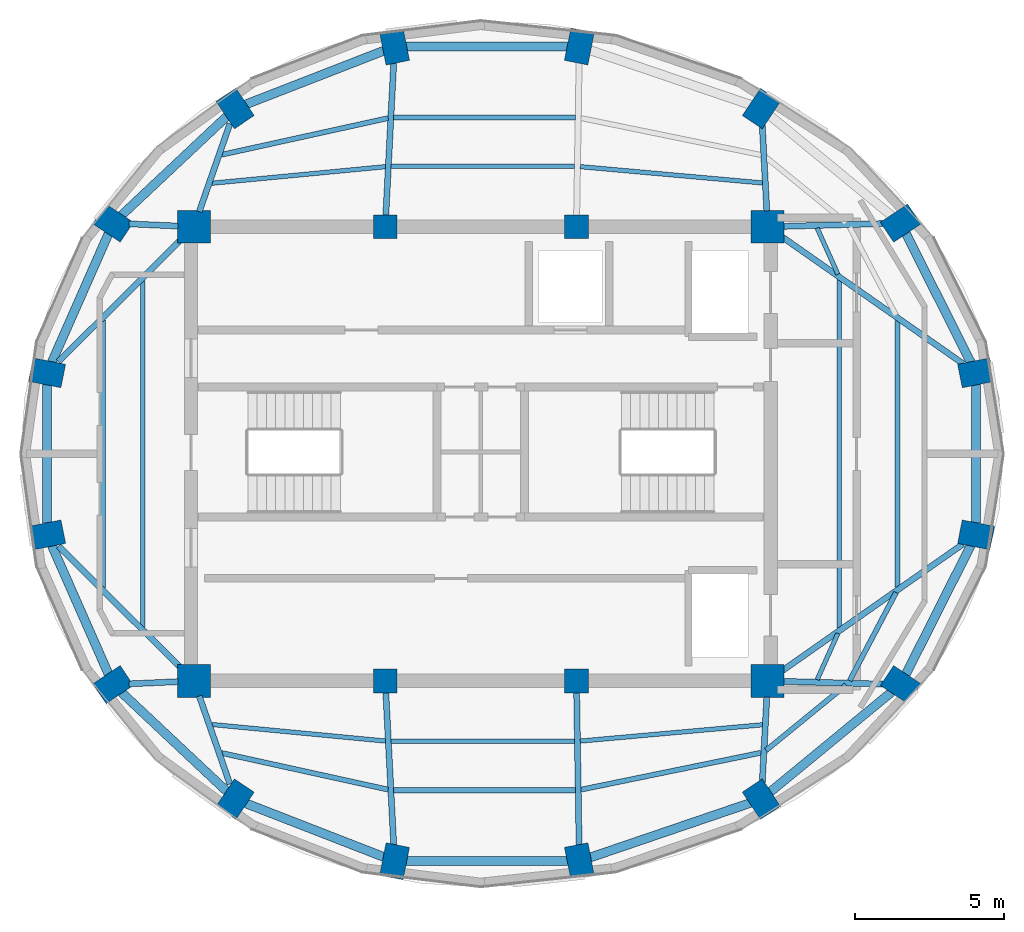
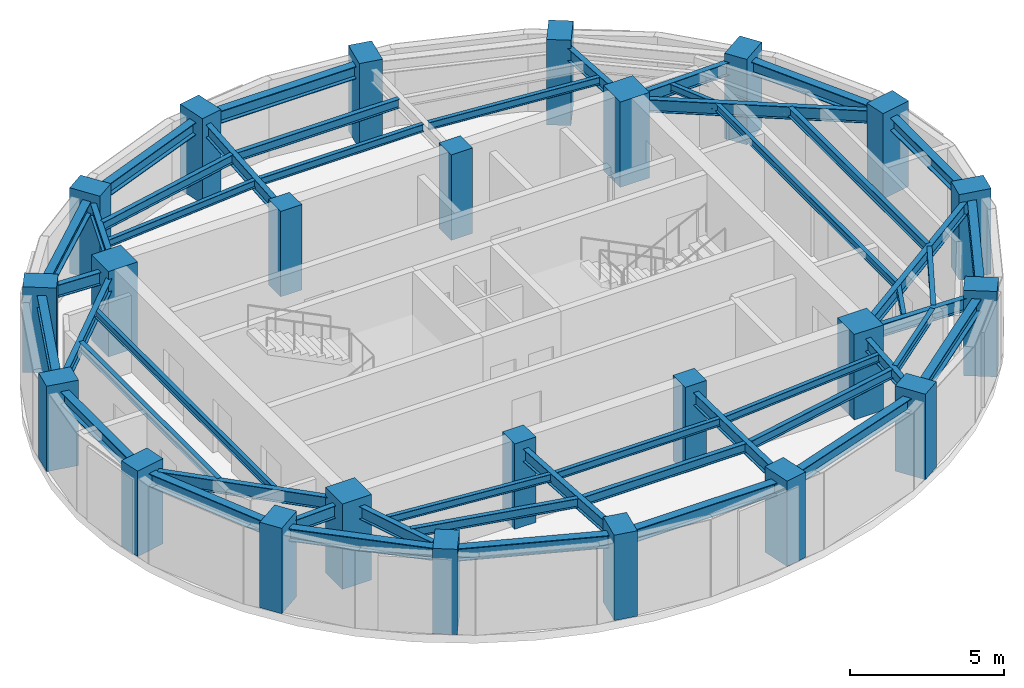
# One storey, part 1 of 5: 48 beams, 24 columns.
"""IFC4 building model written with IfcOpenShell, lengths in metres."""

from ifc_helpers import new_model, si_unit, direction, frame, origin, origin_2d, place, context, subcontext, project, spatial, rectangle, i_section, extrude, material, material_profile, profile_set, type_object, element, save


model = new_model("IFC4")

# Units and contexts
model_context = context("Model", 3, precision=1e-05, world=origin(), true_north=direction((0.0, 1.0)))
body_context = subcontext(model_context, "Body", "Model", "MODEL_VIEW")
ifc_project = project(units=[si_unit("LENGTHUNIT", "METRE"), si_unit("AREAUNIT", "SQUARE_METRE"), si_unit("VOLUMEUNIT", "CUBIC_METRE"), si_unit("PLANEANGLEUNIT", "RADIAN"), si_unit("MASSUNIT", "GRAM", prefix="KILO")], contexts=[model_context])

# Site, building, storey
site_placement = place(None, origin())
site = spatial("IfcSite", under=ifc_project, at=site_placement, CompositionType="ELEMENT")
building_placement = place(site_placement, origin())
building = spatial("IfcBuilding", under=site, at=building_placement, Name="Lazwardi Medical Tower", CompositionType="ELEMENT")
storey_placement = place(building_placement, frame((0.0, 0.0, 305.8359375)))
storey = spatial("IfcBuildingStorey", under=building, at=storey_placement, Name="L80", CompositionType="ELEMENT", Elevation=305.8359375)

# Columns
ifc_material_1 = material(Name="Concrete C80/95", Category="concrete")
ifc_material_profile_1 = material_profile(ifc_material_1, rectangle(XDim=1.10009765625, YDim=1.10009765625, at=origin_2d()), Name="RC 1100x1100")
ifc_profile_set_1 = profile_set([ifc_material_profile_1], Name="Concrete C80/95")
column_type_1 = type_object("IfcColumnType", Name="COL-CC-L", PredefinedType="COLUMN", material=ifc_profile_set_1)
for number, where, z_axis, x_axis, name in (
    (1, (26.39990234375, 20.39990234375, 0.0), (0.0, 0.0, 1.0), (1.0, 0.0, 0.0), "Core column CC-01 CC1 L80"),
    (2, (45.60009765625, 20.39990234375, 0.0), (0.0, 0.0, 1.0), (1.0, 0.0, 0.0), "Core column CC-01 CC4 L80"),
    (3, (45.60009765625, 35.60009765625, 0.0), (0.0, 0.0, 1.0), (1.0, 0.0, 0.0), "Core column CC-01 CC5 L80"),
    (4, (26.39990234375, 35.60009765625, 0.0), (0.0, 0.0, 1.0), (1.0, 0.0, 0.0), "Core column CC-01 CC8 L80"),
):
    element("IfcColumn", number, at=place(storey_placement, frame(where, z_axis=z_axis, x_axis=x_axis)), inside=storey, type_object=column_type_1, Name=name, PredefinedType="COLUMN", context=body_context, shape_type="SweptSolid", body=[
        extrude(rectangle(XDim=1.10009765625, YDim=1.10009765625, at=origin_2d()), origin(), (0.0, 0.0, 1.0), 3.38818359375),
    ])
ifc_material_2 = material(Name="Concrete C60/75", Category="concrete")
ifc_material_profile_2 = material_profile(ifc_material_2, rectangle(XDim=0.800048828125, YDim=0.800048828125, at=origin_2d()), Name="RC 800x800")
ifc_profile_set_2 = profile_set([ifc_material_profile_2], Name="Concrete C60/75")
column_type_2 = type_object("IfcColumnType", Name="COL-CC-U", PredefinedType="COLUMN", material=ifc_profile_set_2)
for number, where, z_axis, x_axis, name in (
    (5, (32.800048828125, 20.39990234375, 0.0), (0.0, 0.0, 1.0), (1.0, 0.0, 0.0), "Core column CC-03 CC2 L80"),
    (6, (39.199951171875, 20.39990234375, 0.0), (0.0, 0.0, 1.0), (1.0, 0.0, 0.0), "Core column CC-03 CC3 L80"),
    (7, (39.199951171875, 35.60009765625, 0.0), (0.0, 0.0, 1.0), (1.0, 0.0, 0.0), "Core column CC-03 CC6 L80"),
    (8, (32.800048828125, 35.60009765625, 0.0), (0.0, 0.0, 1.0), (1.0, 0.0, 0.0), "Core column CC-03 CC7 L80"),
):
    element("IfcColumn", number, at=place(storey_placement, frame(where, z_axis=z_axis, x_axis=x_axis)), inside=storey, type_object=column_type_2, Name=name, PredefinedType="COLUMN", context=body_context, shape_type="SweptSolid", body=[
        extrude(rectangle(XDim=0.800048828125, YDim=0.800048828125, at=origin_2d()), origin(), (0.0, 0.0, 1.0), 3.38818359375),
    ])
ifc_material_profile_3 = material_profile(ifc_material_2, rectangle(XDim=1.10009765625, YDim=0.800048828125, at=origin_2d()), Name="CFT-RECT 1100x800")
ifc_profile_set_3 = profile_set([ifc_material_profile_3], Name="Concrete C60/75")
column_type_3 = type_object("IfcColumnType", Name="COL-MC-Z4", PredefinedType="COLUMN", material=ifc_profile_set_3)
for number, where, z_axis, x_axis, name in (
    (9, (39.297119140625, 14.3671875, 0.0), (0.0, 0.0, 1.0), (0.195090322016, -0.980785280403, 0.0), "Mega column MC-06 M01 L80"),
    (10, (45.38916015625, 16.442626953125, 0.0), (0.0, 0.0, 1.0), (0.55557023302, -0.831469612303, 0.0), "Mega column MC-06 M02 L80"),
    (11, (50.0517578125, 20.277587890625, 0.0), (0.0, 0.0, 1.0), (0.831469612303, -0.55557023302, 0.0), "Mega column MC-06 M03 L80"),
    (12, (52.5751953125, 25.2880859375, 0.0), (0.0, 0.0, 1.0), (0.980785280403, -0.195090322016, 0.0), "Mega column MC-06 M04 L80"),
    (13, (52.5751953125, 30.7119140625, 0.0), (0.0, 0.0, 1.0), (0.980785280403, 0.195090322016, 0.0), "Mega column MC-06 M05 L80"),
    (14, (50.0517578125, 35.722412109375, 0.0), (0.0, 0.0, 1.0), (0.831469612303, 0.55557023302, 0.0), "Mega column MC-06 M06 L80"),
    (15, (45.38916015625, 39.557373046875, 0.0), (0.0, 0.0, 1.0), (0.55557023302, 0.831469612303, 0.0), "Mega column MC-06 M07 L80"),
    (16, (39.297119140625, 41.6328125, 0.0), (0.0, 0.0, 1.0), (0.195090322016, 0.980785280403, 0.0), "Mega column MC-06 M08 L80"),
    (17, (33.11279296875, 41.6328125, 0.0), (0.0, 0.0, 1.0), (-0.195090322016, 0.980785280403, 0.0), "Mega column MC-06 M09 L80"),
    (18, (27.777587890625, 39.557373046875, 0.0), (0.0, 0.0, 1.0), (-0.55557023302, 0.831469612303, 0.0), "Mega column MC-06 M10 L80"),
    (19, (23.694091796875, 35.722412109375, 0.0), (0.0, 0.0, 1.0), (-0.831469612303, 0.55557023302, 0.0), "Mega column MC-06 M11 L80"),
    (20, (21.484375, 30.7119140625, 0.0), (0.0, 0.0, 1.0), (-0.980785280403, 0.195090322016, 0.0), "Mega column MC-06 M12 L80"),
    (21, (21.484375, 25.2880859375, 0.0), (0.0, 0.0, 1.0), (-0.980785280403, -0.195090322016, 0.0), "Mega column MC-06 M13 L80"),
    (22, (23.694091796875, 20.277587890625, 0.0), (0.0, 0.0, 1.0), (-0.831469612303, -0.55557023302, 0.0), "Mega column MC-06 M14 L80"),
    (23, (27.777587890625, 16.442626953125, 0.0), (0.0, 0.0, 1.0), (-0.55557023302, -0.831469612303, 0.0), "Mega column MC-06 M15 L80"),
    (24, (33.11279296875, 14.3671875, 0.0), (0.0, 0.0, 1.0), (-0.195090322016, -0.980785280403, 0.0), "Mega column MC-06 M16 L80"),
):
    element("IfcColumn", number, at=place(storey_placement, frame(where, z_axis=z_axis, x_axis=x_axis)), inside=storey, type_object=column_type_3, Name=name, PredefinedType="COLUMN", context=body_context, shape_type="SweptSolid", body=[
        extrude(rectangle(XDim=1.10009765625, YDim=0.800048828125, at=origin_2d()), origin(), (0.0, 0.0, 1.0), 3.38818359375),
    ])

# Beams
ifc_material_3 = material(Name="Steel S355", Category="steel")
ifc_material_profile_4 = material_profile(ifc_material_3, i_section(OverallWidth=0.300048828125, OverallDepth=0.5, WebThickness=0.014404296875, FlangeThickness=0.028076171875, at=origin_2d()), Name="HEB 500")
ifc_profile_set_4 = profile_set([ifc_material_profile_4], Name="Steel S355")
beam_type_1 = type_object("IfcBeamType", Name="BM-RB-Z4", PredefinedType="BEAM", material=ifc_profile_set_4)
beam_1_placement = place(storey_placement, frame((39.666259765625, 14.492919921875, 2.818115234375), z_axis=(0.94657339, 0.322488476296, 0.0), x_axis=(-0.322488476296, 0.94657339, 0.0)))
element("IfcBeam", 25, at=beam_1_placement, inside=storey, type_object=beam_type_1, Name="Ring beam RB-05 B01 L80", PredefinedType="BEAM", context=body_context, shape_type="SweptSolid", body=[
    extrude(i_section(OverallWidth=0.300048828125, OverallDepth=0.5, WebThickness=0.014404296875, FlangeThickness=0.028076171875, at=origin_2d()), origin(), (0.0, 0.0, 1.0), 5.656005859375),
])
beam_2_placement = place(storey_placement, frame((45.690185546875, 16.690185546875, 2.818115234375), z_axis=(0.772320174437, 0.635233459571, 0.0), x_axis=(-0.635233459571, 0.772320174437, 0.0)))
element("IfcBeam", 26, at=beam_2_placement, inside=storey, type_object=beam_type_1, Name="Ring beam RB-05 B02 L80", PredefinedType="BEAM", context=body_context, shape_type="SweptSolid", body=[
    extrude(i_section(OverallWidth=0.300048828125, OverallDepth=0.5, WebThickness=0.014404296875, FlangeThickness=0.028076171875, at=origin_2d()), origin(), (0.0, 0.0, 1.0), 5.25732421875),
])
beam_3_placement = place(storey_placement, frame((50.227294921875, 20.6259765625, 2.818115234375), z_axis=(0.449799625666, 0.89312949607, 0.0), x_axis=(-0.89312949607, 0.449799625666, 0.0)))
element("IfcBeam", 27, at=beam_3_placement, inside=storey, type_object=beam_type_1, Name="Ring beam RB-05 B03 L80", PredefinedType="BEAM", context=body_context, shape_type="SweptSolid", body=[
    extrude(i_section(OverallWidth=0.300048828125, OverallDepth=0.5, WebThickness=0.014404296875, FlangeThickness=0.028076171875, at=origin_2d()), origin(), (0.0, 0.0, 1.0), 4.830078125),
])
beam_4_placement = place(storey_placement, frame((52.5751953125, 25.67822265625, 2.818115234375), z_axis=(0.0, 1.0, 0.0), x_axis=(-1.0, 0.0, 0.0)))
element("IfcBeam", 28, at=beam_4_placement, inside=storey, type_object=beam_type_1, Name="Ring beam RB-05 B04 L80", PredefinedType="BEAM", context=body_context, shape_type="SweptSolid", body=[
    extrude(i_section(OverallWidth=0.300048828125, OverallDepth=0.5, WebThickness=0.014404296875, FlangeThickness=0.028076171875, at=origin_2d()), origin(), (0.0, 0.0, 1.0), 4.6435546875),
])
beam_5_placement = place(storey_placement, frame((52.39990234375, 31.06005859375, 2.818115234375), z_axis=(-0.449799625666, 0.89312949607, 0.0), x_axis=(-0.89312949607, -0.449799625666, 0.0)))
element("IfcBeam", 29, at=beam_5_placement, inside=storey, type_object=beam_type_1, Name="Ring beam RB-05 B05 L80", PredefinedType="BEAM", context=body_context, shape_type="SweptSolid", body=[
    extrude(i_section(OverallWidth=0.300048828125, OverallDepth=0.5, WebThickness=0.014404296875, FlangeThickness=0.028076171875, at=origin_2d()), origin(), (0.0, 0.0, 1.0), 4.830078125),
])
beam_6_placement = place(storey_placement, frame((38.906982421875, 41.6328125, 2.818115234375), z_axis=(-1.0, 0.0, 0.0), x_axis=(0.0, -1.0, 0.0)))
element("IfcBeam", 30, at=beam_6_placement, inside=storey, type_object=beam_type_1, Name="Ring beam RB-05 B08 L80", PredefinedType="BEAM", context=body_context, shape_type="SweptSolid", body=[
    extrude(i_section(OverallWidth=0.300048828125, OverallDepth=0.5, WebThickness=0.014404296875, FlangeThickness=0.028076171875, at=origin_2d()), origin(), (0.0, 0.0, 1.0), 5.404296875),
])
beam_7_placement = place(storey_placement, frame((32.749267578125, 41.491455078125, 2.818115234375), z_axis=(-0.931959260109, -0.362563011761, 0.0), x_axis=(0.362563011761, -0.931959260109, 0.0)))
element("IfcBeam", 31, at=beam_7_placement, inside=storey, type_object=beam_type_1, Name="Ring beam RB-05 B09 L80", PredefinedType="BEAM", context=body_context, shape_type="SweptSolid", body=[
    extrude(i_section(OverallWidth=0.300048828125, OverallDepth=0.5, WebThickness=0.014404296875, FlangeThickness=0.028076171875, at=origin_2d()), origin(), (0.0, 0.0, 1.0), 4.944580078125),
])
beam_8_placement = place(storey_placement, frame((27.493408203125, 39.290283203125, 2.818115234375), z_axis=(-0.728960615285, -0.684555637887, 0.0), x_axis=(0.684555637887, -0.728960615285, 0.0)))
element("IfcBeam", 32, at=beam_8_placement, inside=storey, type_object=beam_type_1, Name="Ring beam RB-05 B10 L80", PredefinedType="BEAM", context=body_context, shape_type="SweptSolid", body=[
    extrude(i_section(OverallWidth=0.300048828125, OverallDepth=0.5, WebThickness=0.014404296875, FlangeThickness=0.028076171875, at=origin_2d()), origin(), (0.0, 0.0, 1.0), 4.82177734375),
])
beam_9_placement = place(storey_placement, frame((23.536865234375, 35.365478515625, 2.818115234375), z_axis=(-0.403522451548, -0.914969743268, 0.0), x_axis=(0.914969743268, -0.403522451548, 0.0)))
element("IfcBeam", 33, at=beam_9_placement, inside=storey, type_object=beam_type_1, Name="Ring beam RB-05 B11 L80", PredefinedType="BEAM", context=body_context, shape_type="SweptSolid", body=[
    extrude(i_section(OverallWidth=0.300048828125, OverallDepth=0.5, WebThickness=0.014404296875, FlangeThickness=0.028076171875, at=origin_2d()), origin(), (0.0, 0.0, 1.0), 4.6962890625),
])
beam_10_placement = place(storey_placement, frame((21.484375, 30.32177734375, 2.818115234375), z_axis=(0.0, -1.0, 0.0), x_axis=(1.0, 0.0, 0.0)))
element("IfcBeam", 34, at=beam_10_placement, inside=storey, type_object=beam_type_1, Name="Ring beam RB-05 B12 L80", PredefinedType="BEAM", context=body_context, shape_type="SweptSolid", body=[
    extrude(i_section(OverallWidth=0.300048828125, OverallDepth=0.5, WebThickness=0.014404296875, FlangeThickness=0.028076171875, at=origin_2d()), origin(), (0.0, 0.0, 1.0), 4.6435546875),
])
beam_11_placement = place(storey_placement, frame((21.641845703125, 24.931396484375, 2.818115234375), z_axis=(0.403522451548, -0.914969743268, 0.0), x_axis=(0.914969743268, 0.403522451548, 0.0)))
element("IfcBeam", 35, at=beam_11_placement, inside=storey, type_object=beam_type_1, Name="Ring beam RB-05 B13 L80", PredefinedType="BEAM", context=body_context, shape_type="SweptSolid", body=[
    extrude(i_section(OverallWidth=0.300048828125, OverallDepth=0.5, WebThickness=0.014404296875, FlangeThickness=0.028076171875, at=origin_2d()), origin(), (0.0, 0.0, 1.0), 4.6962890625),
])
beam_12_placement = place(storey_placement, frame((23.978515625, 20.010498046875, 2.818115234375), z_axis=(0.728960615285, -0.684555637887, 0.0), x_axis=(0.684555637887, 0.728960615285, 0.0)))
element("IfcBeam", 36, at=beam_12_placement, inside=storey, type_object=beam_type_1, Name="Ring beam RB-05 B14 L80", PredefinedType="BEAM", context=body_context, shape_type="SweptSolid", body=[
    extrude(i_section(OverallWidth=0.300048828125, OverallDepth=0.5, WebThickness=0.014404296875, FlangeThickness=0.028076171875, at=origin_2d()), origin(), (0.0, 0.0, 1.0), 4.82177734375),
])
beam_13_placement = place(storey_placement, frame((28.14111328125, 16.30126953125, 2.818115234375), z_axis=(0.931959260109, -0.362563011761, 0.0), x_axis=(0.362563011761, 0.931959260109, 0.0)))
element("IfcBeam", 37, at=beam_13_placement, inside=storey, type_object=beam_type_1, Name="Ring beam RB-05 B15 L80", PredefinedType="BEAM", context=body_context, shape_type="SweptSolid", body=[
    extrude(i_section(OverallWidth=0.300048828125, OverallDepth=0.5, WebThickness=0.014404296875, FlangeThickness=0.028076171875, at=origin_2d()), origin(), (0.0, 0.0, 1.0), 4.944580078125),
])
beam_14_placement = place(storey_placement, frame((33.502685546875, 14.3671875, 2.818115234375), z_axis=(1.0, 0.0, 0.0), x_axis=(0.0, 1.0, 0.0)))
element("IfcBeam", 38, at=beam_14_placement, inside=storey, type_object=beam_type_1, Name="Ring beam RB-05 B16 L80", PredefinedType="BEAM", context=body_context, shape_type="SweptSolid", body=[
    extrude(i_section(OverallWidth=0.300048828125, OverallDepth=0.5, WebThickness=0.014404296875, FlangeThickness=0.028076171875, at=origin_2d()), origin(), (0.0, 0.0, 1.0), 5.404296875),
])
ifc_material_profile_5 = material_profile(ifc_material_3, i_section(OverallWidth=0.199951171875, OverallDepth=0.5, WebThickness=0.01025390625, FlangeThickness=0.01611328125, at=origin_2d()), Name="IPE 500")
ifc_profile_set_5 = profile_set([ifc_material_profile_5], Name="Steel S355")
beam_type_2 = type_object("IfcBeamType", Name="BM-RG-W3", PredefinedType="BEAM", material=ifc_profile_set_5)
beam_15_placement = place(storey_placement, frame((39.288330078125, 14.902099609375, 2.818115234375), z_axis=(-0.016042248199, 0.999871314856, 0.0), x_axis=(-0.999871314856, -0.016042248199, 0.0)))
element("IfcBeam", 39, at=beam_15_placement, inside=storey, type_object=beam_type_2, Name="Radial girder RG-04 R01 L80", PredefinedType="BEAM", context=body_context, shape_type="SweptSolid", body=[
    extrude(i_section(OverallWidth=0.199951171875, OverallDepth=0.5, WebThickness=0.01025390625, FlangeThickness=0.01611328125, at=origin_2d()), origin(), (0.0, 0.0, 1.0), 5.113525390625),
])
beam_16_placement = place(storey_placement, frame((45.41748046875, 16.976806640625, 2.818115234375), z_axis=(0.053249788899, 0.998581223528, 0.0), x_axis=(-0.998581223528, 0.053249788899, 0.0)))
element("IfcBeam", 40, at=beam_16_placement, inside=storey, type_object=beam_type_2, Name="Radial girder RG-04 R02 L80", PredefinedType="BEAM", context=body_context, shape_type="SweptSolid", body=[
    extrude(i_section(OverallWidth=0.199951171875, OverallDepth=0.5, WebThickness=0.01025390625, FlangeThickness=0.01611328125, at=origin_2d()), origin(), (0.0, 0.0, 1.0), 2.89306640625),
])
beam_17_placement = place(storey_placement, frame((49.51708984375, 20.292236328125, 2.818115234375), z_axis=(-0.999622059591, 0.027490688949, 0.0), x_axis=(-0.027490688949, -0.999622059591, 0.0)))
element("IfcBeam", 41, at=beam_17_placement, inside=storey, type_object=beam_type_2, Name="Radial girder RG-04 R03 L80", PredefinedType="BEAM", context=body_context, shape_type="SweptSolid", body=[
    extrude(i_section(OverallWidth=0.199951171875, OverallDepth=0.5, WebThickness=0.01025390625, FlangeThickness=0.01611328125, at=origin_2d()), origin(), (0.0, 0.0, 1.0), 3.383544921875),
])
for number, where, z_axis, x_axis, name in (
    (42, (52.13720703125, 24.981201171875, 2.818115234375), (-0.818929959662, -0.573893475454, 0.0), (0.573893475454, -0.818929959662, 0.0), "Radial girder RG-04 R04 L80"),
    (43, (52.13720703125, 31.018798828125, 2.818115234375), (-0.818929959662, 0.573893475454, 0.0), (-0.573893475454, -0.818929959662, 0.0), "Radial girder RG-04 R05 L80"),
):
    element("IfcBeam", number, at=place(storey_placement, frame(where, z_axis=z_axis, x_axis=x_axis)), inside=storey, type_object=beam_type_2, Name=name, PredefinedType="BEAM", context=body_context, shape_type="SweptSolid", body=[
        extrude(i_section(OverallWidth=0.199951171875, OverallDepth=0.5, WebThickness=0.01025390625, FlangeThickness=0.01611328125, at=origin_2d()), origin(), (0.0, 0.0, 1.0), 7.44775390625),
    ])
beam_18_placement = place(storey_placement, frame((49.51708984375, 35.707763671875, 2.818115234375), z_axis=(-0.999622059591, -0.027490688949, 0.0), x_axis=(0.027490688949, -0.999622059591, 0.0)))
element("IfcBeam", 44, at=beam_18_placement, inside=storey, type_object=beam_type_2, Name="Radial girder RG-04 R06 L80", PredefinedType="BEAM", context=body_context, shape_type="SweptSolid", body=[
    extrude(i_section(OverallWidth=0.199951171875, OverallDepth=0.5, WebThickness=0.01025390625, FlangeThickness=0.01611328125, at=origin_2d()), origin(), (0.0, 0.0, 1.0), 3.383544921875),
])
beam_19_placement = place(storey_placement, frame((45.41748046875, 39.023193359375, 2.818115234375), z_axis=(0.053249788899, -0.998581223528, 0.0), x_axis=(0.998581223528, 0.053249788899, 0.0)))
element("IfcBeam", 45, at=beam_19_placement, inside=storey, type_object=beam_type_2, Name="Radial girder RG-04 R07 L80", PredefinedType="BEAM", context=body_context, shape_type="SweptSolid", body=[
    extrude(i_section(OverallWidth=0.199951171875, OverallDepth=0.5, WebThickness=0.01025390625, FlangeThickness=0.01611328125, at=origin_2d()), origin(), (0.0, 0.0, 1.0), 2.89306640625),
])
beam_20_placement = place(storey_placement, frame((33.0849609375, 41.0986328125, 2.818115234375), z_axis=(-0.051775595379, -0.998658744378, 0.0), x_axis=(0.998658744378, -0.051775595379, 0.0)))
element("IfcBeam", 46, at=beam_20_placement, inside=storey, type_object=beam_type_2, Name="Radial girder RG-04 R09 L80", PredefinedType="BEAM", context=body_context, shape_type="SweptSolid", body=[
    extrude(i_section(OverallWidth=0.199951171875, OverallDepth=0.5, WebThickness=0.01025390625, FlangeThickness=0.01611328125, at=origin_2d()), origin(), (0.0, 0.0, 1.0), 5.120849609375),
])
beam_21_placement = place(storey_placement, frame((27.601806640625, 39.052001953125, 2.818115234375), z_axis=(-0.32878160191, -0.944405981687, 0.0), x_axis=(0.944405981687, -0.32878160191, 0.0)))
element("IfcBeam", 47, at=beam_21_placement, inside=storey, type_object=beam_type_2, Name="Radial girder RG-04 R10 L80", PredefinedType="BEAM", context=body_context, shape_type="SweptSolid", body=[
    extrude(i_section(OverallWidth=0.199951171875, OverallDepth=0.5, WebThickness=0.01025390625, FlangeThickness=0.01611328125, at=origin_2d()), origin(), (0.0, 0.0, 1.0), 3.120361328125),
])
beam_22_placement = place(storey_placement, frame((24.228759765625, 35.6982421875, 2.818115234375), z_axis=(0.9989801824, -0.045150804783, 0.0), x_axis=(0.045150804783, 0.9989801824, 0.0)))
element("IfcBeam", 48, at=beam_22_placement, inside=storey, type_object=beam_type_2, Name="Radial girder RG-04 R11 L80", PredefinedType="BEAM", context=body_context, shape_type="SweptSolid", body=[
    extrude(i_section(OverallWidth=0.199951171875, OverallDepth=0.5, WebThickness=0.01025390625, FlangeThickness=0.01611328125, at=origin_2d()), origin(), (0.0, 0.0, 1.0), 1.638427734375),
])
for number, where, z_axis, x_axis, name in (
    (49, (21.86376953125, 31.089111328125, 2.818115234375), (0.709061424787, 0.705146719399, 0.0), (-0.705146719399, 0.709061424787, 0.0), "Radial girder RG-04 R12 L80"),
    (50, (21.86376953125, 24.910888671875, 2.818115234375), (0.709061424787, -0.705146719399, 0.0), (0.705146719399, 0.709061424787, 0.0), "Radial girder RG-04 R13 L80"),
):
    element("IfcBeam", number, at=place(storey_placement, frame(where, z_axis=z_axis, x_axis=x_axis)), inside=storey, type_object=beam_type_2, Name=name, PredefinedType="BEAM", context=body_context, shape_type="SweptSolid", body=[
        extrude(i_section(OverallWidth=0.199951171875, OverallDepth=0.5, WebThickness=0.01025390625, FlangeThickness=0.01611328125, at=origin_2d()), origin(), (0.0, 0.0, 1.0), 5.8623046875),
    ])
beam_23_placement = place(storey_placement, frame((24.228759765625, 20.3017578125, 2.818115234375), z_axis=(0.9989801824, 0.045150804783, 0.0), x_axis=(-0.045150804783, 0.9989801824, 0.0)))
element("IfcBeam", 51, at=beam_23_placement, inside=storey, type_object=beam_type_2, Name="Radial girder RG-04 R14 L80", PredefinedType="BEAM", context=body_context, shape_type="SweptSolid", body=[
    extrude(i_section(OverallWidth=0.199951171875, OverallDepth=0.5, WebThickness=0.01025390625, FlangeThickness=0.01611328125, at=origin_2d()), origin(), (0.0, 0.0, 1.0), 1.638427734375),
])
beam_24_placement = place(storey_placement, frame((27.601806640625, 16.947998046875, 2.818115234375), z_axis=(-0.32878160191, 0.944405981687, 0.0), x_axis=(-0.944405981687, -0.32878160191, 0.0)))
element("IfcBeam", 52, at=beam_24_placement, inside=storey, type_object=beam_type_2, Name="Radial girder RG-04 R15 L80", PredefinedType="BEAM", context=body_context, shape_type="SweptSolid", body=[
    extrude(i_section(OverallWidth=0.199951171875, OverallDepth=0.5, WebThickness=0.01025390625, FlangeThickness=0.01611328125, at=origin_2d()), origin(), (0.0, 0.0, 1.0), 3.120361328125),
])
beam_25_placement = place(storey_placement, frame((33.0849609375, 14.9013671875, 2.818115234375), z_axis=(-0.051775595379, 0.998658744378, 0.0), x_axis=(-0.998658744378, -0.051775595379, 0.0)))
element("IfcBeam", 53, at=beam_25_placement, inside=storey, type_object=beam_type_2, Name="Radial girder RG-04 R16 L80", PredefinedType="BEAM", context=body_context, shape_type="SweptSolid", body=[
    extrude(i_section(OverallWidth=0.199951171875, OverallDepth=0.5, WebThickness=0.01025390625, FlangeThickness=0.01611328125, at=origin_2d()), origin(), (0.0, 0.0, 1.0), 5.120849609375),
])
ifc_material_profile_6 = material_profile(ifc_material_3, i_section(OverallWidth=0.169921875, OverallDepth=0.360107421875, WebThickness=0.008056640625, FlangeThickness=0.0126953125, at=origin_2d()), Name="IPE 360")
ifc_profile_set_6 = profile_set([ifc_material_profile_6], Name="Steel S355")
beam_type_3 = type_object("IfcBeamType", Name="BM-SJ-02", PredefinedType="JOIST", material=ifc_profile_set_6)
beam_26_placement = place(storey_placement, frame((39.351806640625, 16.76171875, 2.88818359375), z_axis=(0.979616916129, 0.200874830763, 0.0), x_axis=(-0.200874830763, 0.979616916129, 0.0)))
element("IfcBeam", 54, at=beam_26_placement, inside=storey, type_object=beam_type_3, Name="Secondary joist SJ-02 R1 B01 L80", PredefinedType="JOIST", context=body_context, shape_type="SweptSolid", body=[
    extrude(i_section(OverallWidth=0.169921875, OverallDepth=0.360107421875, WebThickness=0.008056640625, FlangeThickness=0.0126953125, at=origin_2d()), origin(), (0.0, 0.0, 1.0), 6.153564453125),
])
beam_27_placement = place(storey_placement, frame((45.546630859375, 18.076904296875, 2.88818359375), z_axis=(0.774431855027, 0.632657333727, 0.0), x_axis=(-0.632657333727, 0.774431855027, 0.0)))
element("IfcBeam", 55, at=beam_27_placement, inside=storey, type_object=beam_type_3, Name="Secondary joist SJ-02 R1 B02 L80", PredefinedType="JOIST", context=body_context, shape_type="SweptSolid", body=[
    extrude(i_section(OverallWidth=0.169921875, OverallDepth=0.360107421875, WebThickness=0.008056640625, FlangeThickness=0.0126953125, at=origin_2d()), origin(), (0.0, 0.0, 1.0), 3.45947265625),
])
beam_28_placement = place(storey_placement, frame((48.34375, 20.409912109375, 2.88818359375), z_axis=(0.466129832602, 0.884716326942, 0.0), x_axis=(-0.884716326942, 0.466129832602, 0.0)))
element("IfcBeam", 56, at=beam_28_placement, inside=storey, type_object=beam_type_3, Name="Secondary joist SJ-02 R1 B03 L80", PredefinedType="JOIST", context=body_context, shape_type="SweptSolid", body=[
    extrude(i_section(OverallWidth=0.169921875, OverallDepth=0.360107421875, WebThickness=0.008056640625, FlangeThickness=0.0126953125, at=origin_2d()), origin(), (0.0, 0.0, 1.0), 3.332763671875),
])
beam_29_placement = place(storey_placement, frame((49.94140625, 23.53759765625, 2.88818359375), z_axis=(0.0, 1.0, 0.0), x_axis=(-1.0, 0.0, 0.0)))
element("IfcBeam", 57, at=beam_29_placement, inside=storey, type_object=beam_type_3, Name="Secondary joist SJ-02 R1 B04 L80", PredefinedType="JOIST", context=body_context, shape_type="SweptSolid", body=[
    extrude(i_section(OverallWidth=0.169921875, OverallDepth=0.360107421875, WebThickness=0.008056640625, FlangeThickness=0.0126953125, at=origin_2d()), origin(), (0.0, 0.0, 1.0), 8.9248046875),
])
beam_30_placement = place(storey_placement, frame((39.163818359375, 39.25732421875, 2.88818359375), z_axis=(-0.999999999194, 4.0160643e-05, 0.0), x_axis=(-4.0160643e-05, -0.999999999194, 0.0)))
element("IfcBeam", 58, at=beam_30_placement, inside=storey, type_object=beam_type_3, Name="Secondary joist SJ-02 R1 B08 L80", PredefinedType="JOIST", context=body_context, shape_type="SweptSolid", body=[
    extrude(i_section(OverallWidth=0.169921875, OverallDepth=0.360107421875, WebThickness=0.008056640625, FlangeThickness=0.0126953125, at=origin_2d()), origin(), (0.0, 0.0, 1.0), 6.0791015625),
])
beam_31_placement = place(storey_placement, frame((32.896728515625, 39.237060546875, 2.88818359375), z_axis=(-0.976659012992, -0.214795652522, 0.0), x_axis=(0.214795652522, -0.976659012992, 0.0)))
element("IfcBeam", 59, at=beam_31_placement, inside=storey, type_object=beam_type_3, Name="Secondary joist SJ-02 R1 B09 L80", PredefinedType="JOIST", context=body_context, shape_type="SweptSolid", body=[
    extrude(i_section(OverallWidth=0.169921875, OverallDepth=0.360107421875, WebThickness=0.008056640625, FlangeThickness=0.0126953125, at=origin_2d()), origin(), (0.0, 0.0, 1.0), 5.70458984375),
])
beam_32_placement = place(storey_placement, frame((23.360107421875, 32.482177734375, 2.88818359375), z_axis=(0.0, -1.0, 0.0), x_axis=(1.0, 0.0, 0.0)))
element("IfcBeam", 60, at=beam_32_placement, inside=storey, type_object=beam_type_3, Name="Secondary joist SJ-02 R1 B12 L80", PredefinedType="JOIST", context=body_context, shape_type="SweptSolid", body=[
    extrude(i_section(OverallWidth=0.169921875, OverallDepth=0.360107421875, WebThickness=0.008056640625, FlangeThickness=0.0126953125, at=origin_2d()), origin(), (0.0, 0.0, 1.0), 8.96435546875),
])
beam_33_placement = place(storey_placement, frame((27.3251953125, 17.98828125, 2.88818359375), z_axis=(0.976659012992, -0.214795652522, 0.0), x_axis=(0.214795652522, 0.976659012992, 0.0)))
element("IfcBeam", 61, at=beam_33_placement, inside=storey, type_object=beam_type_3, Name="Secondary joist SJ-02 R1 B15 L80", PredefinedType="JOIST", context=body_context, shape_type="SweptSolid", body=[
    extrude(i_section(OverallWidth=0.169921875, OverallDepth=0.360107421875, WebThickness=0.008056640625, FlangeThickness=0.0126953125, at=origin_2d()), origin(), (0.0, 0.0, 1.0), 5.70458984375),
])
beam_34_placement = place(storey_placement, frame((33.084716796875, 16.742431640625, 2.88818359375), z_axis=(0.999999999194, 4.0160643e-05, 0.0), x_axis=(-4.0160643e-05, 0.999999999194, 0.0)))
element("IfcBeam", 62, at=beam_34_placement, inside=storey, type_object=beam_type_3, Name="Secondary joist SJ-02 R1 B16 L80", PredefinedType="JOIST", context=body_context, shape_type="SweptSolid", body=[
    extrude(i_section(OverallWidth=0.169921875, OverallDepth=0.360107421875, WebThickness=0.008056640625, FlangeThickness=0.0126953125, at=origin_2d()), origin(), (0.0, 0.0, 1.0), 6.0791015625),
])
ifc_material_profile_7 = material_profile(ifc_material_3, i_section(OverallWidth=0.14990234375, OverallDepth=0.300048828125, WebThickness=0.007080078125, FlangeThickness=0.0107421875, at=origin_2d()), Name="IPE 300")
ifc_profile_set_7 = profile_set([ifc_material_profile_7], Name="Steel S355")
beam_type_4 = type_object("IfcBeamType", Name="BM-SJ-03", PredefinedType="JOIST", material=ifc_profile_set_7)
beam_35_placement = place(storey_placement, frame((39.3271484375, 18.38720703125, 2.91796875), z_axis=(0.996023505872, 0.089090828656, 0.0), x_axis=(-0.089090828656, 0.996023505872, 0.0)))
element("IfcBeam", 63, at=beam_35_placement, inside=storey, type_object=beam_type_4, Name="Secondary joist SJ-03 R2 B01 L80", PredefinedType="JOIST", context=body_context, shape_type="SweptSolid", body=[
    extrude(i_section(OverallWidth=0.14990234375, OverallDepth=0.300048828125, WebThickness=0.007080078125, FlangeThickness=0.0107421875, at=origin_2d()), origin(), (0.0, 0.0, 1.0), 6.124755859375),
])
beam_36_placement = place(storey_placement, frame((47.256103515625, 20.442138671875, 2.91796875), z_axis=(0.409957352151, 0.912104692136, 0.0), x_axis=(-0.912104692136, 0.409957352151, 0.0)))
element("IfcBeam", 64, at=beam_36_placement, inside=storey, type_object=beam_type_4, Name="Secondary joist SJ-03 R2 B03 L80", PredefinedType="JOIST", context=body_context, shape_type="SweptSolid", body=[
    extrude(i_section(OverallWidth=0.14990234375, OverallDepth=0.300048828125, WebThickness=0.007080078125, FlangeThickness=0.0107421875, at=origin_2d()), origin(), (0.0, 0.0, 1.0), 1.69482421875),
])
beam_37_placement = place(storey_placement, frame((47.98974609375, 22.169677734375, 2.91796875), z_axis=(0.0, 1.0, 0.0), x_axis=(-1.0, 0.0, 0.0)))
element("IfcBeam", 65, at=beam_37_placement, inside=storey, type_object=beam_type_4, Name="Secondary joist SJ-03 R2 B04 L80", PredefinedType="JOIST", context=body_context, shape_type="SweptSolid", body=[
    extrude(i_section(OverallWidth=0.14990234375, OverallDepth=0.300048828125, WebThickness=0.007080078125, FlangeThickness=0.0107421875, at=origin_2d()), origin(), (0.0, 0.0, 1.0), 11.66064453125),
])
beam_38_placement = place(storey_placement, frame((47.950927734375, 34.011962890625, 2.91796875), z_axis=(-0.409957352151, 0.912104692136, 0.0), x_axis=(-0.912104692136, -0.409957352151, 0.0)))
element("IfcBeam", 66, at=beam_38_placement, inside=storey, type_object=beam_type_4, Name="Secondary joist SJ-03 R2 B05 L80", PredefinedType="JOIST", context=body_context, shape_type="SweptSolid", body=[
    extrude(i_section(OverallWidth=0.14990234375, OverallDepth=0.300048828125, WebThickness=0.007080078125, FlangeThickness=0.0107421875, at=origin_2d()), origin(), (0.0, 0.0, 1.0), 1.69482421875),
])
beam_39_placement = place(storey_placement, frame((45.427490234375, 37.067138671875, 2.91796875), z_axis=(-0.996023505872, 0.089090828656, 0.0), x_axis=(-0.089090828656, -0.996023505872, 0.0)))
element("IfcBeam", 67, at=beam_39_placement, inside=storey, type_object=beam_type_4, Name="Secondary joist SJ-03 R2 B07 L80", PredefinedType="JOIST", context=body_context, shape_type="SweptSolid", body=[
    extrude(i_section(OverallWidth=0.14990234375, OverallDepth=0.300048828125, WebThickness=0.007080078125, FlangeThickness=0.0107421875, at=origin_2d()), origin(), (0.0, 0.0, 1.0), 6.124755859375),
])
beam_40_placement = place(storey_placement, frame((39.137451171875, 37.62109375, 2.91796875), z_axis=(-1.0, 0.0, 0.0), x_axis=(0.0, -1.0, 0.0)))
element("IfcBeam", 68, at=beam_40_placement, inside=storey, type_object=beam_type_4, Name="Secondary joist SJ-03 R2 B08 L80", PredefinedType="JOIST", context=body_context, shape_type="SweptSolid", body=[
    extrude(i_section(OverallWidth=0.14990234375, OverallDepth=0.300048828125, WebThickness=0.007080078125, FlangeThickness=0.0107421875, at=origin_2d()), origin(), (0.0, 0.0, 1.0), 6.1376953125),
])
beam_41_placement = place(storey_placement, frame((32.810302734375, 37.612060546875, 2.91796875), z_axis=(-0.995475904255, -0.095014336014, 0.0), x_axis=(0.095014336014, -0.995475904255, 0.0)))
element("IfcBeam", 69, at=beam_41_placement, inside=storey, type_object=beam_type_4, Name="Secondary joist SJ-03 R2 B09 L80", PredefinedType="JOIST", context=body_context, shape_type="SweptSolid", body=[
    extrude(i_section(OverallWidth=0.14990234375, OverallDepth=0.300048828125, WebThickness=0.007080078125, FlangeThickness=0.0107421875, at=origin_2d()), origin(), (0.0, 0.0, 1.0), 5.837890625),
])
beam_42_placement = place(storey_placement, frame((24.6904296875, 33.804931640625, 2.91796875), z_axis=(0.0, -1.0, 0.0), x_axis=(1.0, 0.0, 0.0)))
element("IfcBeam", 70, at=beam_42_placement, inside=storey, type_object=beam_type_4, Name="Secondary joist SJ-03 R2 B12 L80", PredefinedType="JOIST", context=body_context, shape_type="SweptSolid", body=[
    extrude(i_section(OverallWidth=0.14990234375, OverallDepth=0.300048828125, WebThickness=0.007080078125, FlangeThickness=0.0107421875, at=origin_2d()), origin(), (0.0, 0.0, 1.0), 11.60986328125),
])
beam_43_placement = place(storey_placement, frame((26.998779296875, 18.942626953125, 2.91796875), z_axis=(0.995475904255, -0.095014336014, 0.0), x_axis=(0.095014336014, 0.995475904255, 0.0)))
element("IfcBeam", 71, at=beam_43_placement, inside=storey, type_object=beam_type_4, Name="Secondary joist SJ-03 R2 B15 L80", PredefinedType="JOIST", context=body_context, shape_type="SweptSolid", body=[
    extrude(i_section(OverallWidth=0.14990234375, OverallDepth=0.300048828125, WebThickness=0.007080078125, FlangeThickness=0.0107421875, at=origin_2d()), origin(), (0.0, 0.0, 1.0), 5.837890625),
])
beam_44_placement = place(storey_placement, frame((32.999755859375, 18.37890625, 2.91796875), z_axis=(1.0, 0.0, 0.0), x_axis=(0.0, 1.0, 0.0)))
element("IfcBeam", 72, at=beam_44_placement, inside=storey, type_object=beam_type_4, Name="Secondary joist SJ-03 R2 B16 L80", PredefinedType="JOIST", context=body_context, shape_type="SweptSolid", body=[
    extrude(i_section(OverallWidth=0.14990234375, OverallDepth=0.300048828125, WebThickness=0.007080078125, FlangeThickness=0.0107421875, at=origin_2d()), origin(), (0.0, 0.0, 1.0), 6.1376953125),
])

save(model, "model.ifc")
